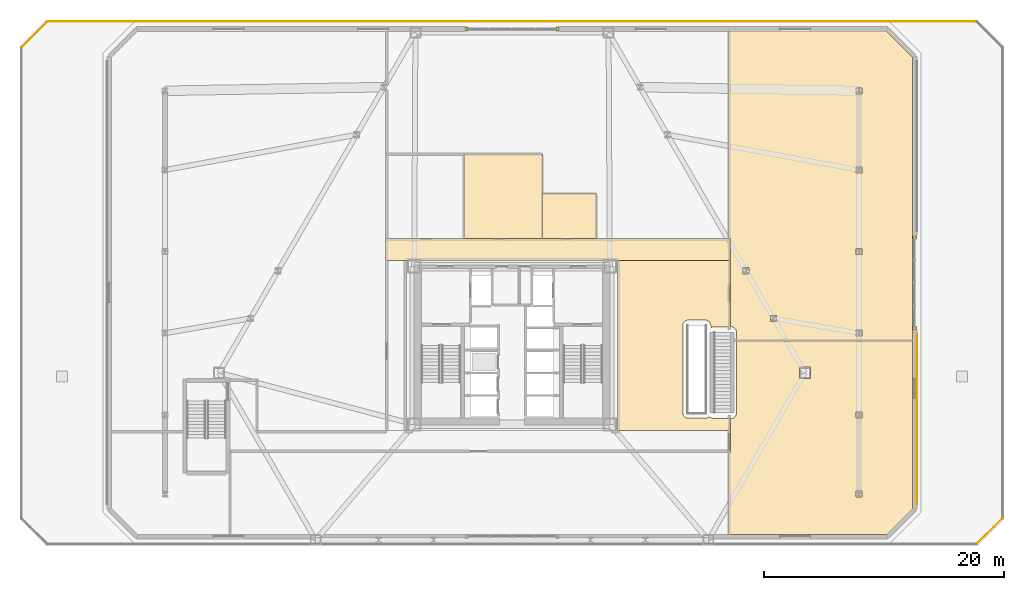
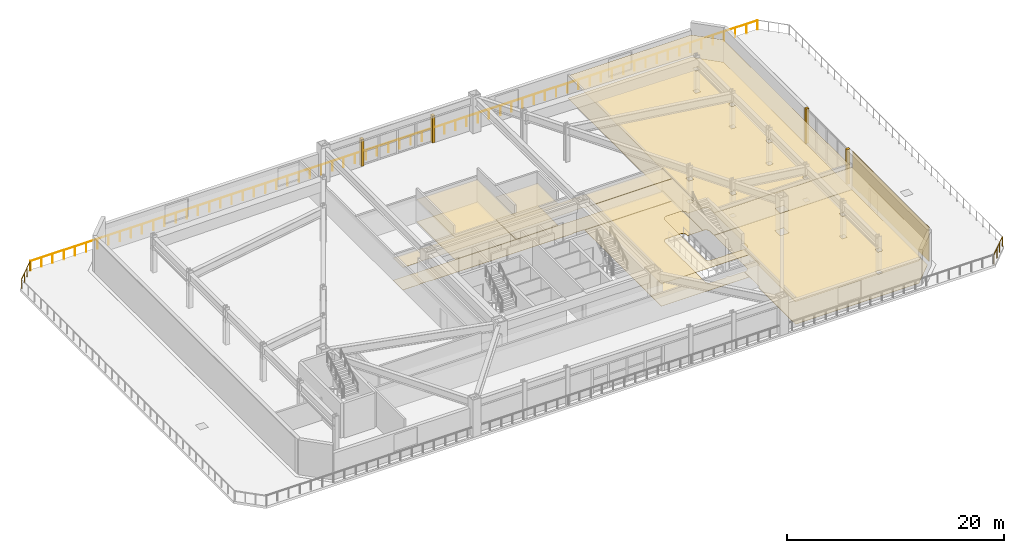
# One storey, part 14 of 16: 17 coverings, 3 railings.
"""IFC4 building model written with IfcOpenShell, lengths in metres."""

from ifc_helpers import new_model, si_unit, direction, frame, origin, origin_2d, place, context, subcontext, project, spatial, polyline, rectangle, circle, outline, extrude, material, layer, layer_set, type_object, element, save


model = new_model("IFC4")

# Units and contexts
model_context = context("Model", 3, precision=1e-05, world=origin(), true_north=direction((0.0, 1.0)))
body_context = subcontext(model_context, "Body", "Model", "MODEL_VIEW")
ifc_project = project(units=[si_unit("LENGTHUNIT", "METRE"), si_unit("AREAUNIT", "SQUARE_METRE"), si_unit("VOLUMEUNIT", "CUBIC_METRE"), si_unit("PLANEANGLEUNIT", "RADIAN"), si_unit("MASSUNIT", "GRAM", prefix="KILO")], contexts=[model_context])

# Site, building, storey
site_placement = place(None, origin())
site = spatial("IfcSite", under=ifc_project, at=site_placement, CompositionType="ELEMENT")
building_placement = place(site_placement, origin())
building = spatial("IfcBuilding", under=site, at=building_placement, Name="Oramaril Tower", CompositionType="ELEMENT")
storey_placement = place(building_placement, frame((0.0, 0.0, 9.89990234375)))
storey = spatial("IfcBuildingStorey", under=building, at=storey_placement, Name="L02", CompositionType="ELEMENT", Elevation=9.89990234375)

# Coverings
ifc_material_1 = material(Name="Mineral Fibre Acoustic Ceiling")
ifc_layer_1 = layer(ifc_material_1, 0.02001953125)
ifc_layer_set_1 = layer_set([ifc_layer_1], Name="CVT-CEIL")
covering_type_1 = type_object("IfcCoveringType", Name="CVT-CEIL", PredefinedType="CEILING", material=ifc_layer_set_1)
covering_1_placement = place(storey_placement, frame((0.0, 0.0, 2.522216796875)))
element("IfcCovering", 1, at=covering_1_placement, inside=storey, type_object=covering_type_1, Name="L02 Acoustic Suspended Ceiling 2", PredefinedType="CEILING", context=body_context, shape_type="SweptSolid", body=[
    extrude(outline(polyline([(55.679931640625, 26.47998046875), (55.679931640625, 24.669921875), (46.219970703125, 24.669921875), (46.219970703125, 24.719970703125), (45.080078125, 24.719970703125), (45.080078125, 24.669921875), (29.919921875, 24.669921875), (29.919921875, 24.719970703125), (28.780029296875, 24.719970703125), (28.780029296875, 24.669921875), (26.969970703125, 24.669921875), (26.969970703125, 26.47998046875), (55.679931640625, 26.47998046875)])), origin(), (0.0, 0.0, 1.0), 0.019775390625),
])
covering_2_placement = place(storey_placement, frame((0.0, 0.0, 2.522216796875)))
element("IfcCovering", 2, at=covering_2_placement, inside=storey, type_object=covering_type_1, Name="L02 Acoustic Suspended Ceiling 4", PredefinedType="CEILING", context=body_context, shape_type="SweptSolid", body=[
    extrude(outline(polyline([(54.062744140625, 19.291748046875), (54.046142578125, 19.375), (53.9892578125, 19.495361328125), (53.9384765625, 19.557373046875), (53.791015625, 19.65576171875), (53.666259765625, 19.68701171875), (52.087646484375, 19.6796875), (51.968017578125, 19.63671875), (51.86279296875, 19.558837890625), (51.810791015625, 19.495361328125), (51.7548828125, 19.376953125), (51.735107421875, 19.24365234375), (51.7451171875, 11.862548828125), (51.78759765625, 11.742919921875), (51.86328125, 11.64111328125), (52.0087890625, 11.543701171875), (52.1337890625, 11.512451171875), (53.666015625, 11.512451171875), (53.793212890625, 11.54443359375), (53.949951171875, 11.637451171875), (54.106689453125, 11.54443359375), (54.23388671875, 11.512451171875), (55.679931640625, 11.510009765625), (55.679931640625, 10.5), (46.300048828125, 10.5), (46.300048828125, 24.64990234375), (55.679931640625, 24.64990234375), (55.679931640625, 19.109619140625), (54.2802734375, 19.109619140625), (54.06689453125, 19.081298828125), (54.062744140625, 19.291748046875)])), origin(), (0.0, 0.0, 1.0), 0.019775390625),
])
covering_3_placement = place(storey_placement, frame((0.0, 0.0, 2.522216796875)))
element("IfcCovering", 3, at=covering_3_placement, inside=storey, type_object=covering_type_1, Name="L02 Acoustic Suspended Ceiling 5", PredefinedType="CEILING", context=body_context, shape_type="SweptSolid", body=[
    extrude(outline(polyline([(56.200439453125, 18.71630859375), (56.18212890625, 18.80810546875), (56.147216796875, 18.892822265625), (56.0625, 19.0068359375), (55.949951171875, 19.09033203125), (55.81787109375, 19.1376953125), (55.699951171875, 19.14404296875), (55.699951171875, 24.64990234375), (55.699951171875, 24.652099609375), (55.69970703125, 24.65380859375), (55.69921875, 24.65576171875), (55.698486328125, 24.65771484375), (55.697509765625, 24.659423828125), (55.697265625, 24.659912109375), (55.697509765625, 24.66064453125), (55.698486328125, 24.662353515625), (55.69921875, 24.664306640625), (55.69970703125, 24.666015625), (55.699951171875, 24.66796875), (55.699951171875, 24.669921875), (55.699951171875, 26.47998046875), (55.699951171875, 26.48193359375), (55.69970703125, 26.48388671875), (55.69921875, 26.48583984375), (55.698486328125, 26.48779296875), (55.697509765625, 26.489501953125), (55.696533203125, 26.4912109375), (55.695556640625, 26.49267578125), (55.694091796875, 26.494140625), (55.692626953125, 26.49560546875), (55.691162109375, 26.49658203125), (55.689453125, 26.49755859375), (55.687744140625, 26.49853515625), (55.685791015625, 26.4990234375), (55.683837890625, 26.49951171875), (55.681884765625, 26.5), (55.679931640625, 26.5), (55.55810546875, 26.5), (55.55810546875, 43.781982421875), (68.70263671875, 43.781982421875), (70.882080078125, 41.6025390625), (70.882080078125, 17.9580078125), (56.203369140625, 17.9580078125), (56.200439453125, 18.71630859375)]), holes=[polyline([(66.652587890625, 18.347412109375), (66.652587890625, 18.8525390625), (66.1474609375, 18.8525390625), (66.1474609375, 18.347412109375), (66.652587890625, 18.347412109375)]), polyline([(59.544921875, 20.0869140625), (59.039794921875, 20.0869140625), (59.039794921875, 19.581787109375), (59.544921875, 19.581787109375), (59.544921875, 20.0869140625)]), polyline([(57.254150390625, 23.549560546875), (57.254150390625, 24.054443359375), (56.749267578125, 24.054443359375), (56.749267578125, 23.549560546875), (57.254150390625, 23.549560546875)]), polyline([(66.652587890625, 25.1474609375), (66.652587890625, 25.652587890625), (66.1474609375, 25.652587890625), (66.1474609375, 25.1474609375), (66.652587890625, 25.1474609375)]), polyline([(66.652587890625, 32.452392578125), (66.1474609375, 32.452392578125), (66.1474609375, 31.947509765625), (66.652587890625, 31.947509765625), (66.652587890625, 32.452392578125)]), polyline([(66.652587890625, 38.547607421875), (66.652587890625, 39.052490234375), (66.1474609375, 39.052490234375), (66.1474609375, 38.547607421875), (66.652587890625, 38.547607421875)])]), origin(), (0.0, 0.0, 1.0), 0.019775390625),
])
covering_4_placement = place(storey_placement, frame((0.0, 0.0, 2.522216796875)))
element("IfcCovering", 4, at=covering_4_placement, inside=storey, type_object=covering_type_1, Name="L02 Acoustic Suspended Ceiling 6", PredefinedType="CEILING", context=body_context, shape_type="SweptSolid", body=[
    extrude(outline(polyline([(55.55810546875, 8.64990234375), (55.679931640625, 8.64990234375), (55.681884765625, 8.650146484375), (55.683837890625, 8.650390625), (55.685791015625, 8.65087890625), (55.687744140625, 8.651611328125), (55.689453125, 8.65234375), (55.691162109375, 8.6533203125), (55.692626953125, 8.654541015625), (55.694091796875, 8.656005859375), (55.695556640625, 8.6572265625), (55.696533203125, 8.658935546875), (55.697509765625, 8.66064453125), (55.698486328125, 8.662353515625), (55.69921875, 8.664306640625), (55.69970703125, 8.666015625), (55.699951171875, 8.66796875), (55.699951171875, 8.669921875), (55.699951171875, 10.47998046875), (55.699951171875, 10.48193359375), (55.69970703125, 10.48388671875), (55.69921875, 10.48583984375), (55.698486328125, 10.48779296875), (55.697509765625, 10.489501953125), (55.697265625, 10.489990234375), (55.697509765625, 10.490478515625), (55.698486328125, 10.4921875), (55.69921875, 10.494140625), (55.69970703125, 10.49609375), (55.699951171875, 10.498046875), (55.699951171875, 10.5), (55.699951171875, 11.47314453125), (55.77099609375, 11.474609375), (55.86376953125, 11.492919921875), (55.9501953125, 11.52880859375), (56.028076171875, 11.580810546875), (56.09423828125, 11.64697265625), (56.146240234375, 11.724853515625), (56.18212890625, 11.811279296875), (56.200439453125, 11.9033203125), (56.202880859375, 17.93798828125), (56.203369140625, 17.93798828125), (70.882080078125, 17.93798828125), (70.882080078125, 3.997314453125), (68.70263671875, 1.818115234375), (55.55810546875, 1.818115234375), (55.55810546875, 8.64990234375)]), holes=[polyline([(66.652587890625, 4.947509765625), (66.652587890625, 5.452392578125), (66.1474609375, 5.452392578125), (66.1474609375, 4.947509765625), (66.652587890625, 4.947509765625)]), polyline([(66.652587890625, 12.052490234375), (66.1474609375, 12.052490234375), (66.1474609375, 11.547607421875), (66.652587890625, 11.547607421875), (66.652587890625, 12.052490234375)]), polyline([(62.38037109375, 15.77001953125), (61.440185546875, 15.77001953125), (61.440185546875, 14.830078125), (62.38037109375, 14.830078125), (62.38037109375, 15.77001953125)])]), origin(), (0.0, 0.0, 1.0), 0.019775390625),
])
covering_5_placement = place(storey_placement, frame((0.0, 0.0, 2.522216796875)))
element("IfcCovering", 5, at=covering_5_placement, inside=storey, type_object=covering_type_1, Name="L02 Acoustic Suspended Ceiling 10", PredefinedType="CEILING", context=body_context, shape_type="SweptSolid", body=[
    extrude(outline(polyline([(40.0419921875, 33.5419921875), (40.0419921875, 26.5), (33.56201171875, 26.5), (33.56201171875, 33.5419921875), (40.0419921875, 33.5419921875)])), origin(), (0.0, 0.0, 1.0), 0.019775390625),
])
covering_6_placement = place(storey_placement, frame((0.0, 0.0, 2.522216796875)))
element("IfcCovering", 6, at=covering_6_placement, inside=storey, type_object=covering_type_1, Name="L02 Acoustic Suspended Ceiling 11", PredefinedType="CEILING", context=body_context, shape_type="SweptSolid", body=[
    extrude(outline(polyline([(44.5419921875, 26.5), (40.06201171875, 26.5), (40.06201171875, 30.241943359375), (44.5419921875, 30.241943359375), (44.5419921875, 26.5)])), origin(), (0.0, 0.0, 1.0), 0.019775390625),
])
ifc_material_2 = material(Name="Warm Cream Limestone", Category="masonry")
ifc_layer_2 = layer(ifc_material_2, 0.050048828125)
ifc_layer_set_2 = layer_set([ifc_layer_2], Name="CVT-CLD")
covering_type_2 = type_object("IfcCoveringType", Name="CVT-CLD", PredefinedType="CLADDING", material=ifc_layer_set_2)
for number, where, z_axis, x_axis, name in (
    (7, (71.050048828125, 19.02001953125, 0.000244140625), (0.0, 0.0, 1.0), (0.0, 1.0, 0.0), "L02 Curtain Wall Limestone Jamb Closure"),
    (8, (71.050048828125, 26.580078125, 0.000244140625), (0.0, 0.0, 1.0), (0.0, 1.0, 0.0), "L02 Curtain Wall Limestone Jamb Closure"),
):
    element("IfcCovering", number, at=place(storey_placement, frame(where, z_axis=z_axis, x_axis=x_axis)), inside=storey, type_object=covering_type_2, Name=name, PredefinedType="CLADDING", context=body_context, shape_type="SweptSolid", body=[
        extrude(rectangle(XDim=0.260009765625, YDim=0.340087890625, at=origin_2d()), origin(), (0.0, 0.0, 1.0), 3.919921875),
    ])
covering_7_placement = place(storey_placement, frame((71.262939453125, 11.413818359375, 0.05029296875), z_axis=(0.0, 0.0, 1.0), x_axis=(0.0, 1.0, 0.0)))
element("IfcCovering", 9, at=covering_7_placement, inside=storey, type_object=covering_type_2, Name="L02 Warm Cream Limestone Cladding", PredefinedType="CLADDING", context=body_context, shape_type="SweptSolid", body=[
    extrude(rectangle(XDim=14.172119140625, YDim=0.050048828125, at=origin_2d()), origin(), (0.0, 0.0, 1.0), 3.820068359375),
])
for number, where, z_axis, x_axis, name in (
    (10, (41.280029296875, 43.949951171875, 0.0), (0.0, 0.0, 1.0), (-1.0, 0.0, 0.0), "L02 Curtain Wall Limestone Jamb Closure"),
    (11, (33.719970703125, 43.949951171875, 0.0), (0.0, 0.0, 1.0), (-1.0, 0.0, 0.0), "L02 Curtain Wall Limestone Jamb Closure"),
):
    element("IfcCovering", number, at=place(storey_placement, frame(where, z_axis=z_axis, x_axis=x_axis)), inside=storey, type_object=covering_type_2, Name=name, PredefinedType="CLADDING", context=body_context, shape_type="SweptSolid", body=[
        extrude(rectangle(XDim=0.260009765625, YDim=0.340087890625, at=origin_2d()), origin(), (0.0, 0.0, 1.0), 3.053955078125),
    ])
ifc_material_3 = material(Name="Honed Quartzite Stone Flooring", Category="masonry")
ifc_layer_3 = layer(ifc_material_3, 0.02490234375)
ifc_layer_set_3 = layer_set([ifc_layer_3], Name="CVT-FLR")
covering_type_3 = type_object("IfcCoveringType", Name="CVT-FLR", PredefinedType="FLOORING", material=ifc_layer_set_3)
covering_8_placement = place(storey_placement, origin())
element("IfcCovering", 12, at=covering_8_placement, inside=storey, type_object=covering_type_3, Name="L02 Honed Stone Floor Finish 2", PredefinedType="FLOORING", context=body_context, shape_type="SweptSolid", body=[
    extrude(outline(polyline([(55.679931640625, 26.47998046875), (55.679931640625, 24.669921875), (46.219970703125, 24.669921875), (46.219970703125, 24.719970703125), (45.080078125, 24.719970703125), (45.080078125, 24.669921875), (29.919921875, 24.669921875), (29.919921875, 24.719970703125), (28.780029296875, 24.719970703125), (28.780029296875, 24.669921875), (26.969970703125, 24.669921875), (26.969970703125, 26.47998046875), (55.679931640625, 26.47998046875)])), origin(), (0.0, 0.0, 1.0), 0.025146484375),
])
covering_9_placement = place(storey_placement, origin())
element("IfcCovering", 13, at=covering_9_placement, inside=storey, type_object=covering_type_3, Name="L02 Honed Stone Floor Finish 4", PredefinedType="FLOORING", context=body_context, shape_type="SweptSolid", body=[
    extrude(outline(polyline([(54.062744140625, 19.291748046875), (54.046142578125, 19.375), (53.9892578125, 19.495361328125), (53.9384765625, 19.557373046875), (53.791015625, 19.65576171875), (53.666259765625, 19.68701171875), (52.087646484375, 19.6796875), (51.968017578125, 19.63671875), (51.86279296875, 19.558837890625), (51.810791015625, 19.495361328125), (51.7548828125, 19.376953125), (51.735107421875, 19.24365234375), (51.7451171875, 11.862548828125), (51.78759765625, 11.742919921875), (51.86328125, 11.64111328125), (52.0087890625, 11.543701171875), (52.1337890625, 11.512451171875), (53.666015625, 11.512451171875), (53.793212890625, 11.54443359375), (53.949951171875, 11.637451171875), (54.106689453125, 11.54443359375), (54.23388671875, 11.512451171875), (55.679931640625, 11.510009765625), (55.679931640625, 10.5), (46.300048828125, 10.5), (46.300048828125, 24.64990234375), (55.679931640625, 24.64990234375), (55.679931640625, 19.109619140625), (54.2802734375, 19.109619140625), (54.06689453125, 19.081298828125), (54.062744140625, 19.291748046875)])), origin(), (0.0, 0.0, 1.0), 0.025146484375),
])
covering_10_placement = place(storey_placement, origin())
element("IfcCovering", 14, at=covering_10_placement, inside=storey, type_object=covering_type_3, Name="L02 Honed Stone Floor Finish 5", PredefinedType="FLOORING", context=body_context, shape_type="SweptSolid", body=[
    extrude(outline(polyline([(56.200439453125, 18.71630859375), (56.18212890625, 18.80810546875), (56.147216796875, 18.892822265625), (56.0625, 19.0068359375), (55.949951171875, 19.09033203125), (55.81787109375, 19.1376953125), (55.699951171875, 19.14404296875), (55.699951171875, 24.64990234375), (55.699951171875, 24.652099609375), (55.69970703125, 24.65380859375), (55.69921875, 24.65576171875), (55.698486328125, 24.65771484375), (55.697509765625, 24.659423828125), (55.697265625, 24.659912109375), (55.697509765625, 24.66064453125), (55.698486328125, 24.662353515625), (55.69921875, 24.664306640625), (55.69970703125, 24.666015625), (55.699951171875, 24.66796875), (55.699951171875, 24.669921875), (55.699951171875, 26.47998046875), (55.699951171875, 26.48193359375), (55.69970703125, 26.48388671875), (55.69921875, 26.48583984375), (55.698486328125, 26.48779296875), (55.697509765625, 26.489501953125), (55.696533203125, 26.4912109375), (55.695556640625, 26.49267578125), (55.694091796875, 26.494140625), (55.692626953125, 26.49560546875), (55.691162109375, 26.49658203125), (55.689453125, 26.49755859375), (55.687744140625, 26.49853515625), (55.685791015625, 26.4990234375), (55.683837890625, 26.49951171875), (55.681884765625, 26.5), (55.679931640625, 26.5), (55.55810546875, 26.5), (55.55810546875, 43.781982421875), (68.70263671875, 43.781982421875), (70.882080078125, 41.6025390625), (70.882080078125, 17.9580078125), (56.203369140625, 17.9580078125), (56.200439453125, 18.71630859375)]), holes=[polyline([(66.652587890625, 18.347412109375), (66.652587890625, 18.8525390625), (66.1474609375, 18.8525390625), (66.1474609375, 18.347412109375), (66.652587890625, 18.347412109375)]), polyline([(59.544921875, 20.0869140625), (59.039794921875, 20.0869140625), (59.039794921875, 19.581787109375), (59.544921875, 19.581787109375), (59.544921875, 20.0869140625)]), polyline([(57.254150390625, 23.549560546875), (57.254150390625, 24.054443359375), (56.749267578125, 24.054443359375), (56.749267578125, 23.549560546875), (57.254150390625, 23.549560546875)]), polyline([(66.652587890625, 25.1474609375), (66.652587890625, 25.652587890625), (66.1474609375, 25.652587890625), (66.1474609375, 25.1474609375), (66.652587890625, 25.1474609375)]), polyline([(66.652587890625, 32.452392578125), (66.1474609375, 32.452392578125), (66.1474609375, 31.947509765625), (66.652587890625, 31.947509765625), (66.652587890625, 32.452392578125)]), polyline([(66.652587890625, 38.547607421875), (66.652587890625, 39.052490234375), (66.1474609375, 39.052490234375), (66.1474609375, 38.547607421875), (66.652587890625, 38.547607421875)])]), origin(), (0.0, 0.0, 1.0), 0.025146484375),
])
covering_11_placement = place(storey_placement, origin())
element("IfcCovering", 15, at=covering_11_placement, inside=storey, type_object=covering_type_3, Name="L02 Honed Stone Floor Finish 6", PredefinedType="FLOORING", context=body_context, shape_type="SweptSolid", body=[
    extrude(outline(polyline([(55.55810546875, 8.64990234375), (55.679931640625, 8.64990234375), (55.681884765625, 8.650146484375), (55.683837890625, 8.650390625), (55.685791015625, 8.65087890625), (55.687744140625, 8.651611328125), (55.689453125, 8.65234375), (55.691162109375, 8.6533203125), (55.692626953125, 8.654541015625), (55.694091796875, 8.656005859375), (55.695556640625, 8.6572265625), (55.696533203125, 8.658935546875), (55.697509765625, 8.66064453125), (55.698486328125, 8.662353515625), (55.69921875, 8.664306640625), (55.69970703125, 8.666015625), (55.699951171875, 8.66796875), (55.699951171875, 8.669921875), (55.699951171875, 10.47998046875), (55.699951171875, 10.48193359375), (55.69970703125, 10.48388671875), (55.69921875, 10.48583984375), (55.698486328125, 10.48779296875), (55.697509765625, 10.489501953125), (55.697265625, 10.489990234375), (55.697509765625, 10.490478515625), (55.698486328125, 10.4921875), (55.69921875, 10.494140625), (55.69970703125, 10.49609375), (55.699951171875, 10.498046875), (55.699951171875, 10.5), (55.699951171875, 11.47314453125), (55.77099609375, 11.474609375), (55.86376953125, 11.492919921875), (55.9501953125, 11.52880859375), (56.028076171875, 11.580810546875), (56.09423828125, 11.64697265625), (56.146240234375, 11.724853515625), (56.18212890625, 11.811279296875), (56.200439453125, 11.9033203125), (56.202880859375, 17.93798828125), (56.203369140625, 17.93798828125), (70.882080078125, 17.93798828125), (70.882080078125, 3.997314453125), (68.70263671875, 1.818115234375), (55.55810546875, 1.818115234375), (55.55810546875, 8.64990234375)]), holes=[polyline([(66.652587890625, 4.947509765625), (66.652587890625, 5.452392578125), (66.1474609375, 5.452392578125), (66.1474609375, 4.947509765625), (66.652587890625, 4.947509765625)]), polyline([(66.652587890625, 12.052490234375), (66.1474609375, 12.052490234375), (66.1474609375, 11.547607421875), (66.652587890625, 11.547607421875), (66.652587890625, 12.052490234375)]), polyline([(62.38037109375, 15.77001953125), (61.440185546875, 15.77001953125), (61.440185546875, 14.830078125), (62.38037109375, 14.830078125), (62.38037109375, 15.77001953125)])]), origin(), (0.0, 0.0, 1.0), 0.025146484375),
])
covering_12_placement = place(storey_placement, origin())
element("IfcCovering", 16, at=covering_12_placement, inside=storey, type_object=covering_type_3, Name="L02 Honed Stone Floor Finish 10", PredefinedType="FLOORING", context=body_context, shape_type="SweptSolid", body=[
    extrude(outline(polyline([(40.0419921875, 33.5419921875), (40.0419921875, 26.5), (33.56201171875, 26.5), (33.56201171875, 33.5419921875), (40.0419921875, 33.5419921875)])), origin(), (0.0, 0.0, 1.0), 0.025146484375),
])
covering_13_placement = place(storey_placement, origin())
element("IfcCovering", 17, at=covering_13_placement, inside=storey, type_object=covering_type_3, Name="L02 Honed Stone Floor Finish 11", PredefinedType="FLOORING", context=body_context, shape_type="SweptSolid", body=[
    extrude(outline(polyline([(44.5419921875, 26.5), (40.06201171875, 26.5), (40.06201171875, 30.241943359375), (44.5419921875, 30.241943359375), (44.5419921875, 26.5)])), origin(), (0.0, 0.0, 1.0), 0.025146484375),
])

# Railings
ifc_material_4 = material(Name="Stainless Steel 316L", Category="steel")
railing_type = type_object("IfcRailingType", Name="RLT-GRD", PredefinedType="GUARDRAIL", material=ifc_material_4)
railing_1_placement = place(storey_placement, frame((76.26318359375, 1.061279296875, 0.0)))
element("IfcRailing", 18, at=railing_1_placement, inside=storey, type_object=railing_type, Name="L02 Podium Terrace Guardrail 02", PredefinedType="GUARDRAIL", context=body_context, shape_type="SweptSolid", body=[
    extrude(circle(Radius=0.02392578125, at=origin_2d()), frame((0.0, 0.0, 1.076171875), z_axis=(0.707148367141, 0.707065192786, 0.0), x_axis=(-0.707065192786, 0.707148367141, 0.0)), (0.0, 0.0, 1.0), 2.935302734375),
    extrude(circle(Radius=0.02099609375, at=origin_2d()), origin(), (0.0, 0.0, 1.0), 1.052001953125),
    extrude(circle(Radius=0.02099609375, at=origin_2d()), frame((0.69189453125, 0.69189453125, 0.0)), (0.0, 0.0, 1.0), 1.052001953125),
    extrude(circle(Radius=0.02099609375, at=origin_2d()), frame((1.3837890625, 1.383544921875, 0.0)), (0.0, 0.0, 1.0), 1.052001953125),
    extrude(circle(Radius=0.02099609375, at=origin_2d()), frame((2.07568359375, 2.075439453125, 0.0)), (0.0, 0.0, 1.0), 1.052001953125),
])
railing_2_placement = place(storey_placement, frame((76.2119140625, 44.56005859375, 0.0)))
element("IfcRailing", 19, at=railing_2_placement, inside=storey, type_object=railing_type, Name="L02 Podium Terrace Guardrail 05", PredefinedType="GUARDRAIL", context=body_context, shape_type="SweptSolid", body=[
    extrude(circle(Radius=0.02392578125, at=origin_2d()), frame((0.0, 0.0, 1.076171875), z_axis=(-1.0, 0.0, 0.0), x_axis=(0.0, -1.0, 0.0)), (0.0, 0.0, 1.0), 77.423828125),
    extrude(circle(Radius=0.02099609375, at=origin_2d()), origin(), (0.0, 0.0, 1.0), 1.052001953125),
    extrude(circle(Radius=0.02099609375, at=origin_2d()), frame((-1.191162109375, 0.0, 0.0)), (0.0, 0.0, 1.0), 1.052001953125),
    extrude(circle(Radius=0.02099609375, at=origin_2d()), frame((-2.38232421875, 0.0, 0.0)), (0.0, 0.0, 1.0), 1.052001953125),
    extrude(circle(Radius=0.02099609375, at=origin_2d()), frame((-3.573486328125, 0.0, 0.0)), (0.0, 0.0, 1.0), 1.052001953125),
    extrude(circle(Radius=0.02099609375, at=origin_2d()), frame((-4.7646484375, 0.0, 0.0)), (0.0, 0.0, 1.0), 1.052001953125),
    extrude(circle(Radius=0.02099609375, at=origin_2d()), frame((-5.95556640625, 0.0, 0.0)), (0.0, 0.0, 1.0), 1.052001953125),
    extrude(circle(Radius=0.02099609375, at=origin_2d()), frame((-7.146728515625, 0.0, 0.0)), (0.0, 0.0, 1.0), 1.052001953125),
    extrude(circle(Radius=0.02099609375, at=origin_2d()), frame((-8.337890625, 0.0, 0.0)), (0.0, 0.0, 1.0), 1.052001953125),
    extrude(circle(Radius=0.02099609375, at=origin_2d()), frame((-9.529052734375, 0.0, 0.0)), (0.0, 0.0, 1.0), 1.052001953125),
    extrude(circle(Radius=0.02099609375, at=origin_2d()), frame((-10.72021484375, 0.0, 0.0)), (0.0, 0.0, 1.0), 1.052001953125),
    extrude(circle(Radius=0.02099609375, at=origin_2d()), frame((-11.911376953125, 0.0, 0.0)), (0.0, 0.0, 1.0), 1.052001953125),
    extrude(circle(Radius=0.02099609375, at=origin_2d()), frame((-13.1025390625, 0.0, 0.0)), (0.0, 0.0, 1.0), 1.052001953125),
    extrude(circle(Radius=0.02099609375, at=origin_2d()), frame((-14.293701171875, 0.0, 0.0)), (0.0, 0.0, 1.0), 1.052001953125),
    extrude(circle(Radius=0.02099609375, at=origin_2d()), frame((-15.48486328125, 0.0, 0.0)), (0.0, 0.0, 1.0), 1.052001953125),
    extrude(circle(Radius=0.02099609375, at=origin_2d()), frame((-16.67578125, 0.0, 0.0)), (0.0, 0.0, 1.0), 1.052001953125),
    extrude(circle(Radius=0.02099609375, at=origin_2d()), frame((-17.866943359375, 0.0, 0.0)), (0.0, 0.0, 1.0), 1.052001953125),
    extrude(circle(Radius=0.02099609375, at=origin_2d()), frame((-19.05810546875, 0.0, 0.0)), (0.0, 0.0, 1.0), 1.052001953125),
    extrude(circle(Radius=0.02099609375, at=origin_2d()), frame((-20.249267578125, 0.0, 0.0)), (0.0, 0.0, 1.0), 1.052001953125),
    extrude(circle(Radius=0.02099609375, at=origin_2d()), frame((-21.4404296875, 0.0, 0.0)), (0.0, 0.0, 1.0), 1.052001953125),
    extrude(circle(Radius=0.02099609375, at=origin_2d()), frame((-22.631591796875, 0.0, 0.0)), (0.0, 0.0, 1.0), 1.052001953125),
    extrude(circle(Radius=0.02099609375, at=origin_2d()), frame((-23.82275390625, 0.0, 0.0)), (0.0, 0.0, 1.0), 1.052001953125),
    extrude(circle(Radius=0.02099609375, at=origin_2d()), frame((-25.013916015625, 0.0, 0.0)), (0.0, 0.0, 1.0), 1.052001953125),
    extrude(circle(Radius=0.02099609375, at=origin_2d()), frame((-26.205078125, 0.0, 0.0)), (0.0, 0.0, 1.0), 1.052001953125),
    extrude(circle(Radius=0.02099609375, at=origin_2d()), frame((-27.396240234375, 0.0, 0.0)), (0.0, 0.0, 1.0), 1.052001953125),
    extrude(circle(Radius=0.02099609375, at=origin_2d()), frame((-28.587158203125, 0.0, 0.0)), (0.0, 0.0, 1.0), 1.052001953125),
    extrude(circle(Radius=0.02099609375, at=origin_2d()), frame((-29.7783203125, 0.0, 0.0)), (0.0, 0.0, 1.0), 1.052001953125),
    extrude(circle(Radius=0.02099609375, at=origin_2d()), frame((-30.969482421875, 0.0, 0.0)), (0.0, 0.0, 1.0), 1.052001953125),
    extrude(circle(Radius=0.02099609375, at=origin_2d()), frame((-32.16064453125, 0.0, 0.0)), (0.0, 0.0, 1.0), 1.052001953125),
    extrude(circle(Radius=0.02099609375, at=origin_2d()), frame((-33.351806640625, 0.0, 0.0)), (0.0, 0.0, 1.0), 1.052001953125),
    extrude(circle(Radius=0.02099609375, at=origin_2d()), frame((-34.54296875, 0.0, 0.0)), (0.0, 0.0, 1.0), 1.052001953125),
    extrude(circle(Radius=0.02099609375, at=origin_2d()), frame((-35.734130859375, 0.0, 0.0)), (0.0, 0.0, 1.0), 1.052001953125),
    extrude(circle(Radius=0.02099609375, at=origin_2d()), frame((-36.92529296875, 0.0, 0.0)), (0.0, 0.0, 1.0), 1.052001953125),
    extrude(circle(Radius=0.02099609375, at=origin_2d()), frame((-38.116455078125, 0.0, 0.0)), (0.0, 0.0, 1.0), 1.052001953125),
    extrude(circle(Radius=0.02099609375, at=origin_2d()), frame((-39.307373046875, 0.0, 0.0)), (0.0, 0.0, 1.0), 1.052001953125),
    extrude(circle(Radius=0.02099609375, at=origin_2d()), frame((-40.49853515625, 0.0, 0.0)), (0.0, 0.0, 1.0), 1.052001953125),
    extrude(circle(Radius=0.02099609375, at=origin_2d()), frame((-41.689697265625, 0.0, 0.0)), (0.0, 0.0, 1.0), 1.052001953125),
    extrude(circle(Radius=0.02099609375, at=origin_2d()), frame((-42.880859375, 0.0, 0.0)), (0.0, 0.0, 1.0), 1.052001953125),
    extrude(circle(Radius=0.02099609375, at=origin_2d()), frame((-44.072021484375, 0.0, 0.0)), (0.0, 0.0, 1.0), 1.052001953125),
    extrude(circle(Radius=0.02099609375, at=origin_2d()), frame((-45.26318359375, 0.0, 0.0)), (0.0, 0.0, 1.0), 1.052001953125),
    extrude(circle(Radius=0.02099609375, at=origin_2d()), frame((-46.454345703125, 0.0, 0.0)), (0.0, 0.0, 1.0), 1.052001953125),
    extrude(circle(Radius=0.02099609375, at=origin_2d()), frame((-47.6455078125, 0.0, 0.0)), (0.0, 0.0, 1.0), 1.052001953125),
    extrude(circle(Radius=0.02099609375, at=origin_2d()), frame((-48.836669921875, 0.0, 0.0)), (0.0, 0.0, 1.0), 1.052001953125),
    extrude(circle(Radius=0.02099609375, at=origin_2d()), frame((-50.027587890625, 0.0, 0.0)), (0.0, 0.0, 1.0), 1.052001953125),
    extrude(circle(Radius=0.02099609375, at=origin_2d()), frame((-51.21875, 0.0, 0.0)), (0.0, 0.0, 1.0), 1.052001953125),
    extrude(circle(Radius=0.02099609375, at=origin_2d()), frame((-52.409912109375, 0.0, 0.0)), (0.0, 0.0, 1.0), 1.052001953125),
    extrude(circle(Radius=0.02099609375, at=origin_2d()), frame((-53.60107421875, 0.0, 0.0)), (0.0, 0.0, 1.0), 1.052001953125),
    extrude(circle(Radius=0.02099609375, at=origin_2d()), frame((-54.792236328125, 0.0, 0.0)), (0.0, 0.0, 1.0), 1.052001953125),
    extrude(circle(Radius=0.02099609375, at=origin_2d()), frame((-55.9833984375, 0.0, 0.0)), (0.0, 0.0, 1.0), 1.052001953125),
    extrude(circle(Radius=0.02099609375, at=origin_2d()), frame((-57.174560546875, 0.0, 0.0)), (0.0, 0.0, 1.0), 1.052001953125),
    extrude(circle(Radius=0.02099609375, at=origin_2d()), frame((-58.36572265625, 0.0, 0.0)), (0.0, 0.0, 1.0), 1.052001953125),
    extrude(circle(Radius=0.02099609375, at=origin_2d()), frame((-59.556884765625, 0.0, 0.0)), (0.0, 0.0, 1.0), 1.052001953125),
    extrude(circle(Radius=0.02099609375, at=origin_2d()), frame((-60.748046875, 0.0, 0.0)), (0.0, 0.0, 1.0), 1.052001953125),
    extrude(circle(Radius=0.02099609375, at=origin_2d()), frame((-61.93896484375, 0.0, 0.0)), (0.0, 0.0, 1.0), 1.052001953125),
    extrude(circle(Radius=0.02099609375, at=origin_2d()), frame((-63.130126953125, 0.0, 0.0)), (0.0, 0.0, 1.0), 1.052001953125),
    extrude(circle(Radius=0.02099609375, at=origin_2d()), frame((-64.3212890625, 0.0, 0.0)), (0.0, 0.0, 1.0), 1.052001953125),
    extrude(circle(Radius=0.02099609375, at=origin_2d()), frame((-65.512451171875, 0.0, 0.0)), (0.0, 0.0, 1.0), 1.052001953125),
    extrude(circle(Radius=0.02099609375, at=origin_2d()), frame((-66.70361328125, 0.0, 0.0)), (0.0, 0.0, 1.0), 1.052001953125),
    extrude(circle(Radius=0.02099609375, at=origin_2d()), frame((-67.894775390625, 0.0, 0.0)), (0.0, 0.0, 1.0), 1.052001953125),
    extrude(circle(Radius=0.02099609375, at=origin_2d()), frame((-69.0859375, 0.0, 0.0)), (0.0, 0.0, 1.0), 1.052001953125),
    extrude(circle(Radius=0.02099609375, at=origin_2d()), frame((-70.277099609375, 0.0, 0.0)), (0.0, 0.0, 1.0), 1.052001953125),
    extrude(circle(Radius=0.02099609375, at=origin_2d()), frame((-71.46826171875, 0.0, 0.0)), (0.0, 0.0, 1.0), 1.052001953125),
    extrude(circle(Radius=0.02099609375, at=origin_2d()), frame((-72.6591796875, 0.0, 0.0)), (0.0, 0.0, 1.0), 1.052001953125),
    extrude(circle(Radius=0.02099609375, at=origin_2d()), frame((-73.850341796875, 0.0, 0.0)), (0.0, 0.0, 1.0), 1.052001953125),
    extrude(circle(Radius=0.02099609375, at=origin_2d()), frame((-75.04150390625, 0.0, 0.0)), (0.0, 0.0, 1.0), 1.052001953125),
    extrude(circle(Radius=0.02099609375, at=origin_2d()), frame((-76.232666015625, 0.0, 0.0)), (0.0, 0.0, 1.0), 1.052001953125),
    extrude(circle(Radius=0.02099609375, at=origin_2d()), frame((-77.423828125, 0.0, 0.0)), (0.0, 0.0, 1.0), 1.052001953125),
])
railing_3_placement = place(storey_placement, frame((-1.26318359375, 44.538818359375, 0.0)))
element("IfcRailing", 20, at=railing_3_placement, inside=storey, type_object=railing_type, Name="L02 Podium Terrace Guardrail 06", PredefinedType="GUARDRAIL", context=body_context, shape_type="SweptSolid", body=[
    extrude(circle(Radius=0.02392578125, at=origin_2d()), frame((0.0, 0.0, 1.076171875), z_axis=(-0.707106781187, -0.707106781187, 0.0), x_axis=(0.707106781187, -0.707106781187, 0.0)), (0.0, 0.0, 1.0), 2.935546875),
    extrude(circle(Radius=0.02099609375, at=origin_2d()), origin(), (0.0, 0.0, 1.0), 1.052001953125),
    extrude(circle(Radius=0.02099609375, at=origin_2d()), frame((-0.69189453125, -0.69189453125, 0.0)), (0.0, 0.0, 1.0), 1.052001953125),
    extrude(circle(Radius=0.02099609375, at=origin_2d()), frame((-1.3837890625, -1.3837890625, 0.0)), (0.0, 0.0, 1.0), 1.052001953125),
    extrude(circle(Radius=0.02099609375, at=origin_2d()), frame((-2.07568359375, -2.07568359375, 0.0)), (0.0, 0.0, 1.0), 1.052001953125),
])

save(model, "model.ifc")
